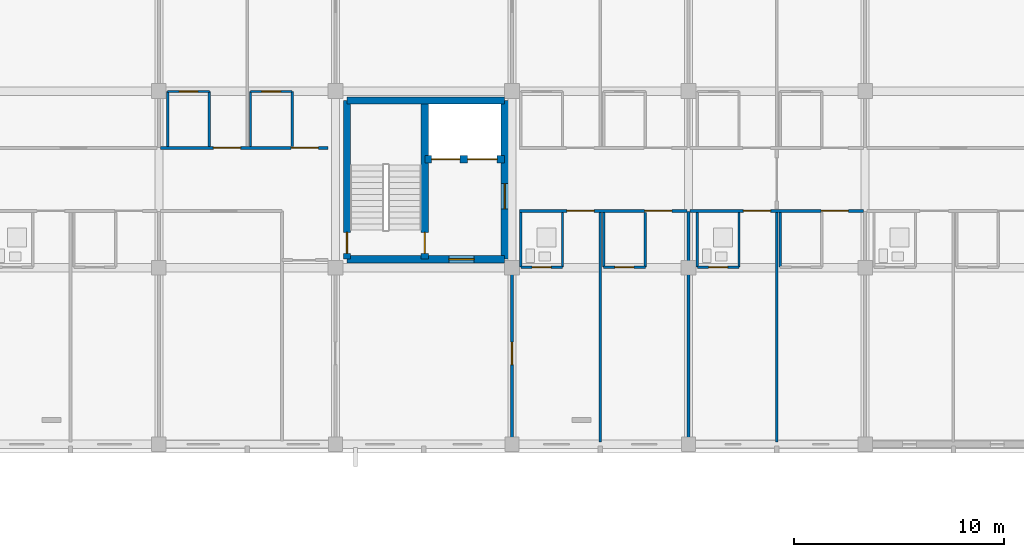
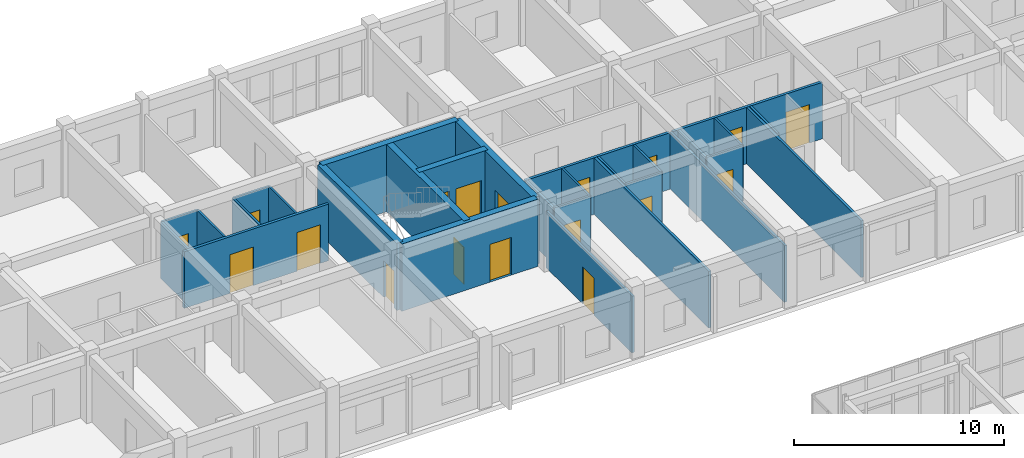
# One storey, part 117 of 140: 29 walls, 18 doors, 18 openings.
"""IFC4 building model written with IfcOpenShell, lengths in metres."""

from ifc_helpers import new_model, si_unit, direction, frame, frame_2d, origin, place, context, subcontext, project, spatial, rectangle, extrude, material, layer, layer_set, type_object, element, fill, save


model = new_model("IFC4")

# Units and contexts
model_context = context("Model", 3, precision=1e-05, world=origin(), true_north=direction((0.0, 1.0)))
body_context = subcontext(model_context, "Body", "Model", "MODEL_VIEW")
ifc_project = project(units=[si_unit("LENGTHUNIT", "METRE"), si_unit("AREAUNIT", "SQUARE_METRE"), si_unit("VOLUMEUNIT", "CUBIC_METRE"), si_unit("PLANEANGLEUNIT", "RADIAN"), si_unit("MASSUNIT", "GRAM", prefix="KILO")], contexts=[model_context])

# Site, building, storey
site_placement = place(None, origin())
site = spatial("IfcSite", under=ifc_project, at=site_placement, CompositionType="ELEMENT")
building_placement = place(site_placement, origin())
building = spatial("IfcBuilding", under=site, at=building_placement, Name="Trelvath General Hospital", CompositionType="ELEMENT")
storey_placement = place(building_placement, frame((0.0, 0.0, 16.199951171875)))
storey = spatial("IfcBuildingStorey", under=building, at=storey_placement, Name="L04", CompositionType="ELEMENT", Elevation=16.199951171875)

# Wall, openings, doors
ifc_material_1 = material(Name="Gypsum acoustic steel-stud partition", Category="steel")
ifc_layer_1 = layer(ifc_material_1, 0.14990234375)
ifc_layer_set_1 = layer_set([ifc_layer_1], Name="Gypsum acoustic steel-stud partition")
wall_type_1 = type_object("IfcWallType", Name="ClinicalPartition 150", PredefinedType="PARTITIONING", material=ifc_layer_set_1)
wall_1_placement = place(storey_placement, frame((41.639892578125, 106.5, 0.0), z_axis=(0.0, 0.0, 1.0), x_axis=(-1.0, 0.0, 0.0)))
wall_1 = element("IfcWall", 1, at=wall_1_placement, inside=storey, type_object=wall_type_1, Name="Corridor Partition N L04-1562", PredefinedType="PARTITIONING", context=body_context, shape_type="SweptSolid", body=[
    extrude(rectangle(XDim=7.9599609375, YDim=0.14990234375, at=frame_2d((3.97998046875, 0.0))), origin(), (0.0, 0.0, 1.0), 3.300048828125),
])
opening_1_placement = place(wall_1_placement, frame((0.449951171875, 0.0, 0.0)))
opening_1 = element("IfcOpeningElement", 2, at=opening_1_placement, cuts=wall_1, Name="Opening D-4-1071", PredefinedType="OPENING", context=body_context, shape_type="SweptSolid", body=[
    extrude(rectangle(XDim=1.300048828125, YDim=2.25, at=frame_2d((0.64990234375, 1.125))), frame((0.0, 0.0849609375, 0.0), z_axis=(0.0, -1.0, 0.0), x_axis=(1.0, 0.0, 0.0)), (0.0, 0.0, 1.0), 0.169921875),
])
opening_2_placement = place(wall_1_placement, frame((4.14990234375, 0.0, 0.0)))
opening_2 = element("IfcOpeningElement", 3, at=opening_2_placement, cuts=wall_1, Name="Opening D-4-1072", PredefinedType="OPENING", context=body_context, shape_type="SweptSolid", body=[
    extrude(rectangle(XDim=1.300048828125, YDim=2.25, at=frame_2d((0.64990234375, 1.125))), frame((0.0, 0.0849609375, 0.0), z_axis=(0.0, -1.0, 0.0), x_axis=(1.0, 0.0, 0.0)), (0.0, 0.0, 1.0), 0.169921875),
])
ifc_material_2 = material(Name="Hospital bed-leaf timber door", Category="wood")
door_type_1 = type_object("IfcDoorType", Name="Door PatientBed 1300x2250", OperationType="NOTDEFINED", PredefinedType="DOOR", material=ifc_material_2)
door_1_placement = place(opening_1_placement, origin())
door_1 = element("IfcDoor", 4, at=door_1_placement, inside=storey, type_object=door_type_1, Name="Patient Room Door N L04-1071", OperationType="SINGLE_SWING_LEFT", OverallHeight=2.25, OverallWidth=1.300048828125, PredefinedType="DOOR", context=body_context, shape_type="SweptSolid", body=[
    extrude(rectangle(XDim=1.300048828125, YDim=2.25, at=frame_2d((0.64990234375, 1.125))), frame((0.0, 0.02490234375, 0.0), z_axis=(0.0, -1.0, 0.0), x_axis=(1.0, 0.0, 0.0)), (0.0, 0.0, 1.0), 0.050048828125),
])
fill(opening_1, door_1)
door_2_placement = place(opening_2_placement, origin())
door_2 = element("IfcDoor", 5, at=door_2_placement, inside=storey, type_object=door_type_1, Name="Patient Room Door N L04-1072", OperationType="SINGLE_SWING_LEFT", OverallHeight=2.25, OverallWidth=1.300048828125, PredefinedType="DOOR", context=body_context, shape_type="SweptSolid", body=[
    extrude(rectangle(XDim=1.300048828125, YDim=2.25, at=frame_2d((0.64990234375, 1.125))), frame((0.0, 0.02490234375, 0.0), z_axis=(0.0, -1.0, 0.0), x_axis=(1.0, 0.0, 0.0)), (0.0, 0.0, 1.0), 0.050048828125),
])
fill(opening_2, door_2)

wall_2_placement = place(storey_placement, frame((50.760009765625, 103.5, 0.0), z_axis=(0.0, 0.0, 1.0), x_axis=(1.0, 0.0, 0.0)))
wall_2 = element("IfcWall", 6, at=wall_2_placement, inside=storey, type_object=wall_type_1, Name="Corridor Partition L04-1574", PredefinedType="PARTITIONING", context=body_context, shape_type="SweptSolid", body=[
    extrude(rectangle(XDim=7.9599609375, YDim=0.14990234375, at=frame_2d((3.97998046875, 0.0))), origin(), (0.0, 0.0, 1.0), 3.300048828125),
])
opening_3_placement = place(wall_2_placement, frame((2.25, 0.0, 0.0)))
opening_3 = element("IfcOpeningElement", 7, at=opening_3_placement, cuts=wall_2, Name="Opening D-4-1079", PredefinedType="OPENING", context=body_context, shape_type="SweptSolid", body=[
    extrude(rectangle(XDim=1.300048828125, YDim=2.25, at=frame_2d((0.64990234375, 1.125))), frame((0.0, 0.0849609375, 0.0), z_axis=(0.0, -1.0, 0.0), x_axis=(1.0, 0.0, 0.0)), (0.0, 0.0, 1.0), 0.169921875),
])
opening_4_placement = place(wall_2_placement, frame((5.949951171875, 0.0, 0.0)))
opening_4 = element("IfcOpeningElement", 8, at=opening_4_placement, cuts=wall_2, Name="Opening D-4-1080", PredefinedType="OPENING", context=body_context, shape_type="SweptSolid", body=[
    extrude(rectangle(XDim=1.300048828125, YDim=2.25, at=frame_2d((0.64990234375, 1.125))), frame((0.0, 0.0849609375, 0.0), z_axis=(0.0, -1.0, 0.0), x_axis=(1.0, 0.0, 0.0)), (0.0, 0.0, 1.0), 0.169921875),
])
door_3_placement = place(opening_3_placement, origin())
door_3 = element("IfcDoor", 9, at=door_3_placement, inside=storey, type_object=door_type_1, Name="Patient Room Door L04-1079", OperationType="SINGLE_SWING_RIGHT", OverallHeight=2.25, OverallWidth=1.300048828125, PredefinedType="DOOR", context=body_context, shape_type="SweptSolid", body=[
    extrude(rectangle(XDim=1.300048828125, YDim=2.25, at=frame_2d((0.64990234375, 1.125))), frame((0.0, 0.02490234375, 0.0), z_axis=(0.0, -1.0, 0.0), x_axis=(1.0, 0.0, 0.0)), (0.0, 0.0, 1.0), 0.050048828125),
])
fill(opening_3, door_3)
door_4_placement = place(opening_4_placement, origin())
door_4 = element("IfcDoor", 10, at=door_4_placement, inside=storey, type_object=door_type_1, Name="Patient Room Door L04-1080", OperationType="SINGLE_SWING_LEFT", OverallHeight=2.25, OverallWidth=1.300048828125, PredefinedType="DOOR", context=body_context, shape_type="SweptSolid", body=[
    extrude(rectangle(XDim=1.300048828125, YDim=2.25, at=frame_2d((0.64990234375, 1.125))), frame((0.0, 0.02490234375, 0.0), z_axis=(0.0, -1.0, 0.0), x_axis=(1.0, 0.0, 0.0)), (0.0, 0.0, 1.0), 0.050048828125),
])
fill(opening_4, door_4)

wall_3_placement = place(storey_placement, frame((58.8798828125, 103.5, 0.0), z_axis=(0.0, 0.0, 1.0), x_axis=(1.0, 0.0, 0.0)))
wall_3 = element("IfcWall", 11, at=wall_3_placement, inside=storey, type_object=wall_type_1, Name="Corridor Partition L04-1593", PredefinedType="PARTITIONING", context=body_context, shape_type="SweptSolid", body=[
    extrude(rectangle(XDim=8.240234375, YDim=0.14990234375, at=frame_2d((4.1201171875, 0.0))), origin(), (0.0, 0.0, 1.0), 3.300048828125),
])
opening_5_placement = place(wall_3_placement, frame((2.530029296875, 0.0, 0.0)))
opening_5 = element("IfcOpeningElement", 12, at=opening_5_placement, cuts=wall_3, Name="Opening D-4-1087", PredefinedType="OPENING", context=body_context, shape_type="SweptSolid", body=[
    extrude(rectangle(XDim=1.300048828125, YDim=2.25, at=frame_2d((0.64990234375, 1.125))), frame((0.0, 0.0849609375, 0.0), z_axis=(0.0, -1.0, 0.0), x_axis=(1.0, 0.0, 0.0)), (0.0, 0.0, 1.0), 0.169921875),
])
opening_6_placement = place(wall_3_placement, frame((6.22998046875, 0.0, 0.0)))
opening_6 = element("IfcOpeningElement", 13, at=opening_6_placement, cuts=wall_3, Name="Opening D-4-1088", PredefinedType="OPENING", context=body_context, shape_type="SweptSolid", body=[
    extrude(rectangle(XDim=1.300048828125, YDim=2.25, at=frame_2d((0.64990234375, 1.125))), frame((0.0, 0.0849609375, 0.0), z_axis=(0.0, -1.0, 0.0), x_axis=(1.0, 0.0, 0.0)), (0.0, 0.0, 1.0), 0.169921875),
])
door_5_placement = place(opening_5_placement, origin())
door_5 = element("IfcDoor", 14, at=door_5_placement, inside=storey, type_object=door_type_1, Name="Patient Room Door L04-1087", OperationType="SINGLE_SWING_LEFT", OverallHeight=2.25, OverallWidth=1.300048828125, PredefinedType="DOOR", context=body_context, shape_type="SweptSolid", body=[
    extrude(rectangle(XDim=1.300048828125, YDim=2.25, at=frame_2d((0.64990234375, 1.125))), frame((0.0, 0.02490234375, 0.0), z_axis=(0.0, -1.0, 0.0), x_axis=(1.0, 0.0, 0.0)), (0.0, 0.0, 1.0), 0.050048828125),
])
fill(opening_5, door_5)
door_6_placement = place(opening_6_placement, origin())
door_6 = element("IfcDoor", 15, at=door_6_placement, inside=storey, type_object=door_type_1, Name="Patient Room Door L04-1088", OperationType="SINGLE_SWING_RIGHT", OverallHeight=2.25, OverallWidth=1.300048828125, PredefinedType="DOOR", context=body_context, shape_type="SweptSolid", body=[
    extrude(rectangle(XDim=1.300048828125, YDim=2.25, at=frame_2d((0.64990234375, 1.125))), frame((0.0, 0.02490234375, 0.0), z_axis=(0.0, -1.0, 0.0), x_axis=(1.0, 0.0, 0.0)), (0.0, 0.0, 1.0), 0.050048828125),
])
fill(opening_6, door_6)

# Wall, opening, door
ifc_material_3 = material(Name="Concrete C40/50", Category="concrete")
ifc_layer_2 = layer(ifc_material_3, 0.35009765625)
ifc_layer_set_2 = layer_set([ifc_layer_2], Name="Concrete C40/50")
wall_type_2 = type_object("IfcWallType", Name="CoreShearWall 350", PredefinedType="SHEAR", material=ifc_layer_set_2)
wall_4_placement = place(storey_placement, frame((42.550048828125, 101.199951171875, 0.0), z_axis=(0.0, 0.0, 1.0), x_axis=(1.0, 0.0, 0.0)))
wall_4 = element("IfcWall", 16, at=wall_4_placement, inside=storey, type_object=wall_type_2, Name="Core Shear Wall C1 S L04", PredefinedType="SHEAR", context=body_context, shape_type="SweptSolid", body=[
    extrude(rectangle(XDim=7.5, YDim=0.35009765625, at=frame_2d((3.75, 0.0))), origin(), (0.0, 0.0, 1.0), 3.920166015625),
])
opening_7_placement = place(wall_4_placement, frame((4.85009765625, 0.0, 0.0)))
opening_7 = element("IfcOpeningElement", 17, at=opening_7_placement, cuts=wall_4, Name="Opening FD-LS14", PredefinedType="OPENING", context=body_context, shape_type="SweptSolid", body=[
    extrude(rectangle(XDim=1.199951171875, YDim=2.199951171875, at=frame_2d((0.60009765625, 1.10009765625))), frame((0.0, 0.18505859375, 0.0), z_axis=(0.0, -1.0, 0.0), x_axis=(1.0, 0.0, 0.0)), (0.0, 0.0, 1.0), 0.3701171875),
])
ifc_material_4 = material(Name="Fire-rated steel door", Category="steel")
door_type_2 = type_object("IfcDoorType", Name="Door FireLobby 1200x2200", OperationType="NOTDEFINED", PredefinedType="DOOR", material=ifc_material_4)
door_7_placement = place(opening_7_placement, origin())
door_7 = element("IfcDoor", 18, at=door_7_placement, inside=storey, type_object=door_type_2, Name="Fire Lobby South Door C1 L04", OperationType="SINGLE_SWING_RIGHT", OverallHeight=2.199951171875, OverallWidth=1.199951171875, PredefinedType="DOOR", context=body_context, shape_type="SweptSolid", body=[
    extrude(rectangle(XDim=1.199951171875, YDim=2.199951171875, at=frame_2d((0.60009765625, 1.10009765625))), frame((0.0, 0.02490234375, 0.0), z_axis=(0.0, -1.0, 0.0), x_axis=(1.0, 0.0, 0.0)), (0.0, 0.0, 1.0), 0.050048828125),
])
fill(opening_7, door_7)

# Wall
wall_5_placement = place(storey_placement, frame((42.550048828125, 108.75, 0.0), z_axis=(0.0, 0.0, 1.0), x_axis=(1.0, 0.0, 0.0)))
element("IfcWall", 19, at=wall_5_placement, inside=storey, type_object=wall_type_2, Name="Core Shear Wall C1 N L04", PredefinedType="SHEAR", context=body_context, shape_type="SweptSolid", body=[
    extrude(rectangle(XDim=7.5, YDim=0.35009765625, at=frame_2d((3.75, 0.0))), origin(), (0.0, 0.0, 1.0), 3.920166015625),
])

# Wall, opening, door
wall_6_placement = place(storey_placement, frame((42.550048828125, 101.199951171875, 0.0), z_axis=(0.0, 0.0, 1.0), x_axis=(0.0, 1.0, 0.0)))
wall_6 = element("IfcWall", 20, at=wall_6_placement, inside=storey, type_object=wall_type_2, Name="Core Shear Wall C1 W L04", PredefinedType="SHEAR", context=body_context, shape_type="SweptSolid", body=[
    extrude(rectangle(XDim=7.550048828125, YDim=0.35009765625, at=frame_2d((3.77490234375, 0.0))), origin(), (0.0, 0.0, 1.0), 3.920166015625),
])
opening_8_placement = place(wall_6_placement, frame((0.280029296875, 0.0, 0.0)))
opening_8 = element("IfcOpeningElement", 21, at=opening_8_placement, cuts=wall_6, Name="Opening FD-SW14", PredefinedType="OPENING", context=body_context, shape_type="SweptSolid", body=[
    extrude(rectangle(XDim=1.0, YDim=2.14990234375, at=frame_2d((0.5, 1.074951171875))), frame((0.0, 0.18505859375, 0.0), z_axis=(0.0, -1.0, 0.0), x_axis=(1.0, 0.0, 0.0)), (0.0, 0.0, 1.0), 0.3701171875),
])
ifc_material_5 = material(Name="Fire-rated steel door", Category="steel")
door_type_3 = type_object("IfcDoorType", Name="Door FireStair 1100x2150", OperationType="NOTDEFINED", PredefinedType="DOOR", material=ifc_material_5)
door_8_placement = place(opening_8_placement, origin())
door_8 = element("IfcDoor", 22, at=door_8_placement, inside=storey, type_object=door_type_3, Name="West Corridor Stair Door ST1 L04", OperationType="SINGLE_SWING_LEFT", OverallHeight=2.14990234375, OverallWidth=1.0, PredefinedType="DOOR", context=body_context, shape_type="SweptSolid", body=[
    extrude(rectangle(XDim=1.0, YDim=2.14990234375, at=frame_2d((0.5, 1.074951171875))), frame((0.0, 0.02490234375, 0.0), z_axis=(0.0, -1.0, 0.0), x_axis=(1.0, 0.0, 0.0)), (0.0, 0.0, 1.0), 0.050048828125),
])
fill(opening_8, door_8)

wall_7_placement = place(storey_placement, frame((50.050048828125, 101.199951171875, 0.0), z_axis=(0.0, 0.0, 1.0), x_axis=(0.0, 1.0, 0.0)))
wall_7 = element("IfcWall", 23, at=wall_7_placement, inside=storey, type_object=wall_type_2, Name="Core Shear Wall C1 E L04", PredefinedType="SHEAR", context=body_context, shape_type="SweptSolid", body=[
    extrude(rectangle(XDim=7.550048828125, YDim=0.35009765625, at=frame_2d((3.77490234375, 0.0))), origin(), (0.0, 0.0, 1.0), 3.920166015625),
])
opening_9_placement = place(wall_7_placement, frame((2.39990234375, 0.0, 0.0)))
opening_9 = element("IfcOpeningElement", 24, at=opening_9_placement, cuts=wall_7, Name="Opening FD-LE14", PredefinedType="OPENING", context=body_context, shape_type="SweptSolid", body=[
    extrude(rectangle(XDim=1.199951171875, YDim=2.199951171875, at=frame_2d((0.60009765625, 1.10009765625))), frame((0.0, 0.18505859375, 0.0), z_axis=(0.0, -1.0, 0.0), x_axis=(1.0, 0.0, 0.0)), (0.0, 0.0, 1.0), 0.3701171875),
])
door_9_placement = place(opening_9_placement, origin())
door_9 = element("IfcDoor", 25, at=door_9_placement, inside=storey, type_object=door_type_2, Name="Fire Lobby East Corridor Door C1 L04", OperationType="SINGLE_SWING_LEFT", OverallHeight=2.199951171875, OverallWidth=1.199951171875, PredefinedType="DOOR", context=body_context, shape_type="SweptSolid", body=[
    extrude(rectangle(XDim=1.199951171875, YDim=2.199951171875, at=frame_2d((0.60009765625, 1.10009765625))), frame((0.0, 0.02490234375, 0.0), z_axis=(0.0, -1.0, 0.0), x_axis=(1.0, 0.0, 0.0)), (0.0, 0.0, 1.0), 0.050048828125),
])
fill(opening_9, door_9)

wall_8_placement = place(storey_placement, frame((46.25, 101.199951171875, 0.0), z_axis=(0.0, 0.0, 1.0), x_axis=(0.0, 1.0, 0.0)))
wall_8 = element("IfcWall", 26, at=wall_8_placement, inside=storey, type_object=wall_type_2, Name="Core Shear Wall C1 SPINE L04", PredefinedType="SHEAR", context=body_context, shape_type="SweptSolid", body=[
    extrude(rectangle(XDim=7.550048828125, YDim=0.35009765625, at=frame_2d((3.77490234375, 0.0))), origin(), (0.0, 0.0, 1.0), 3.920166015625),
])
opening_10_placement = place(wall_8_placement, frame((0.280029296875, 0.0, 0.0)))
opening_10 = element("IfcOpeningElement", 27, at=opening_10_placement, cuts=wall_8, Name="Opening FD-S14", PredefinedType="OPENING", context=body_context, shape_type="SweptSolid", body=[
    extrude(rectangle(XDim=1.0, YDim=2.14990234375, at=frame_2d((0.5, 1.074951171875))), frame((0.0, 0.18505859375, 0.0), z_axis=(0.0, -1.0, 0.0), x_axis=(1.0, 0.0, 0.0)), (0.0, 0.0, 1.0), 0.3701171875),
])
door_10_placement = place(opening_10_placement, origin())
door_10 = element("IfcDoor", 28, at=door_10_placement, inside=storey, type_object=door_type_3, Name="Exit Stair Door ST1 L04", OperationType="SINGLE_SWING_RIGHT", OverallHeight=2.14990234375, OverallWidth=1.0, PredefinedType="DOOR", context=body_context, shape_type="SweptSolid", body=[
    extrude(rectangle(XDim=1.0, YDim=2.14990234375, at=frame_2d((0.5, 1.074951171875))), frame((0.0, 0.02490234375, 0.0), z_axis=(0.0, -1.0, 0.0), x_axis=(1.0, 0.0, 0.0)), (0.0, 0.0, 1.0), 0.050048828125),
])
fill(opening_10, door_10)

# Wall, openings, doors
wall_9_placement = place(storey_placement, frame((46.25, 105.949951171875, 0.0), z_axis=(0.0, 0.0, 1.0), x_axis=(1.0, 0.0, 0.0)))
wall_9 = element("IfcWall", 29, at=wall_9_placement, inside=storey, type_object=wall_type_2, Name="Core Shear Wall C1 SHAFT L04", PredefinedType="SHEAR", context=body_context, shape_type="SweptSolid", body=[
    extrude(rectangle(XDim=3.800048828125, YDim=0.35009765625, at=frame_2d((1.89990234375, 0.0))), origin(), (0.0, 0.0, 1.0), 3.920166015625),
])
opening_11_placement = place(wall_9_placement, frame((0.320068359375, 0.0, 0.0)))
opening_11 = element("IfcOpeningElement", 30, at=opening_11_placement, cuts=wall_9, Name="Opening LD-FF1-4", PredefinedType="OPENING", context=body_context, shape_type="SweptSolid", body=[
    extrude(rectangle(XDim=1.35009765625, YDim=2.25, at=frame_2d((0.675048828125, 1.125))), frame((0.0, 0.18505859375, 0.0), z_axis=(0.0, -1.0, 0.0), x_axis=(1.0, 0.0, 0.0)), (0.0, 0.0, 1.0), 0.3701171875),
])
opening_12_placement = place(wall_9_placement, frame((2.0400390625, 0.0, 0.0)))
opening_12 = element("IfcOpeningElement", 31, at=opening_12_placement, cuts=wall_9, Name="Opening LD-BD1-4", PredefinedType="OPENING", context=body_context, shape_type="SweptSolid", body=[
    extrude(rectangle(XDim=1.39990234375, YDim=2.25, at=frame_2d((0.699951171875, 1.125))), frame((0.0, 0.18505859375, 0.0), z_axis=(0.0, -1.0, 0.0), x_axis=(1.0, 0.0, 0.0)), (0.0, 0.0, 1.0), 0.3701171875),
])
ifc_material_6 = material(Name="Stainless steel stretcher lift landing door", Category="steel")
door_type_4 = type_object("IfcDoorType", Name="Door LiftBed 1400x2250", OperationType="SLIDING_TO_LEFT", PredefinedType="DOOR", material=ifc_material_6)
door_11_placement = place(opening_12_placement, origin())
door_11 = element("IfcDoor", 32, at=door_11_placement, inside=storey, type_object=door_type_4, Name="Lift Landing Sliding Door LF-BD1 L04", OperationType="SLIDING_TO_LEFT", OverallHeight=2.25, OverallWidth=1.39990234375, PredefinedType="DOOR", context=body_context, shape_type="SweptSolid", body=[
    extrude(rectangle(XDim=1.39990234375, YDim=2.25, at=frame_2d((0.699951171875, 1.125))), frame((0.0, 0.02490234375, 0.0), z_axis=(0.0, -1.0, 0.0), x_axis=(1.0, 0.0, 0.0)), (0.0, 0.0, 1.0), 0.050048828125),
])
fill(opening_12, door_11)
ifc_material_7 = material(Name="Fire-rated stainless lift landing door")
door_type_5 = type_object("IfcDoorType", Name="Door LiftFire 1350x2250", OperationType="SLIDING_TO_LEFT", PredefinedType="DOOR", material=ifc_material_7)
door_12_placement = place(opening_11_placement, origin())
door_12 = element("IfcDoor", 33, at=door_12_placement, inside=storey, type_object=door_type_5, Name="Lift Landing Sliding Door LF-FF1 L04", OperationType="SLIDING_TO_LEFT", OverallHeight=2.25, OverallWidth=1.35009765625, PredefinedType="DOOR", context=body_context, shape_type="SweptSolid", body=[
    extrude(rectangle(XDim=1.35009765625, YDim=2.25, at=frame_2d((0.675048828125, 1.125))), frame((0.0, 0.02490234375, 0.0), z_axis=(0.0, -1.0, 0.0), x_axis=(1.0, 0.0, 0.0)), (0.0, 0.0, 1.0), 0.050048828125),
])
fill(opening_11, door_12)

# Walls
ifc_material_8 = material(Name="Moisture-resistant tile partition")
ifc_layer_3 = layer(ifc_material_8, 0.110107421875)
ifc_layer_set_3 = layer_set([ifc_layer_3], Name="Moisture-resistant tile partition")
wall_type_3 = type_object("IfcWallType", Name="EnSuiteWetWall 110", PredefinedType="PARTITIONING", material=ifc_layer_set_3)
for number, where, z_axis, x_axis, name in (
    (34, (34.02001953125, 106.570068359375, 0.0), (0.0, 0.0, 1.0), (0.0, 1.0, 0.0), "En-Suite W Wall N L04-1564"),
    (35, (36.0, 106.570068359375, 0.0), (0.0, 0.0, 1.0), (0.0, 1.0, 0.0), "En-Suite E Wall N L04-1565"),
):
    element("IfcWall", number, at=place(storey_placement, frame(where, z_axis=z_axis, x_axis=x_axis)), inside=storey, type_object=wall_type_3, Name=name, PredefinedType="PARTITIONING", context=body_context, shape_type="SweptSolid", body=[
        extrude(rectangle(XDim=2.60986328125, YDim=0.110107421875, at=frame_2d((1.304931640625, 0.0))), origin(), (0.0, 0.0, 1.0), 3.300048828125),
    ])

# Wall, opening, door
wall_10_placement = place(storey_placement, frame((34.02001953125, 109.179931640625, 0.0), z_axis=(0.0, 0.0, 1.0), x_axis=(1.0, 0.0, 0.0)))
wall_10 = element("IfcWall", 36, at=wall_10_placement, inside=storey, type_object=wall_type_3, Name="En-Suite Bathroom N Partition L04-1566", PredefinedType="PARTITIONING", context=body_context, shape_type="SweptSolid", body=[
    extrude(rectangle(XDim=1.97998046875, YDim=0.110107421875, at=frame_2d((0.989990234375, 0.0))), origin(), (0.0, 0.0, 1.0), 3.300048828125),
])
opening_13_placement = place(wall_10_placement, frame((0.5400390625, 0.0, 0.0)))
opening_13 = element("IfcOpeningElement", 37, at=opening_13_placement, cuts=wall_10, Name="Opening D-4-1073", PredefinedType="OPENING", context=body_context, shape_type="SweptSolid", body=[
    extrude(rectangle(XDim=0.89990234375, YDim=2.10009765625, at=frame_2d((0.449951171875, 1.050048828125))), frame((0.0, 0.06494140625, 0.0), z_axis=(0.0, -1.0, 0.0), x_axis=(1.0, 0.0, 0.0)), (0.0, 0.0, 1.0), 0.130126953125),
])
ifc_material_9 = material(Name="Moisture-sealed timber leaf", Category="wood")
door_type_6 = type_object("IfcDoorType", Name="Door EnSuite 900x2100", OperationType="NOTDEFINED", PredefinedType="DOOR", material=ifc_material_9)
door_13_placement = place(opening_13_placement, origin())
door_13 = element("IfcDoor", 38, at=door_13_placement, inside=storey, type_object=door_type_6, Name="En-Suite Bathroom N Door L04-1073", OperationType="SINGLE_SWING_RIGHT", OverallHeight=2.10009765625, OverallWidth=0.89990234375, PredefinedType="DOOR", context=body_context, shape_type="SweptSolid", body=[
    extrude(rectangle(XDim=0.89990234375, YDim=2.10009765625, at=frame_2d((0.449951171875, 1.050048828125))), frame((0.0, 0.02490234375, 0.0), z_axis=(0.0, -1.0, 0.0), x_axis=(1.0, 0.0, 0.0)), (0.0, 0.0, 1.0), 0.050048828125),
])
fill(opening_13, door_13)

# Walls
for number, where, z_axis, x_axis, name in (
    (39, (37.9599609375, 106.570068359375, 0.0), (0.0, 0.0, 1.0), (0.0, 1.0, 0.0), "En-Suite W Wall N L04-1567"),
    (40, (39.93994140625, 106.570068359375, 0.0), (0.0, 0.0, 1.0), (0.0, 1.0, 0.0), "En-Suite E Wall N L04-1568"),
):
    element("IfcWall", number, at=place(storey_placement, frame(where, z_axis=z_axis, x_axis=x_axis)), inside=storey, type_object=wall_type_3, Name=name, PredefinedType="PARTITIONING", context=body_context, shape_type="SweptSolid", body=[
        extrude(rectangle(XDim=2.60986328125, YDim=0.110107421875, at=frame_2d((1.304931640625, 0.0))), origin(), (0.0, 0.0, 1.0), 3.300048828125),
    ])

# Wall, opening, door
wall_11_placement = place(storey_placement, frame((37.9599609375, 109.179931640625, 0.0), z_axis=(0.0, 0.0, 1.0), x_axis=(1.0, 0.0, 0.0)))
wall_11 = element("IfcWall", 41, at=wall_11_placement, inside=storey, type_object=wall_type_3, Name="En-Suite Bathroom N Partition L04-1569", PredefinedType="PARTITIONING", context=body_context, shape_type="SweptSolid", body=[
    extrude(rectangle(XDim=1.97998046875, YDim=0.110107421875, at=frame_2d((0.989990234375, 0.0))), origin(), (0.0, 0.0, 1.0), 3.300048828125),
])
opening_14_placement = place(wall_11_placement, frame((0.5400390625, 0.0, 0.0)))
opening_14 = element("IfcOpeningElement", 42, at=opening_14_placement, cuts=wall_11, Name="Opening D-4-1074", PredefinedType="OPENING", context=body_context, shape_type="SweptSolid", body=[
    extrude(rectangle(XDim=0.89990234375, YDim=2.10009765625, at=frame_2d((0.449951171875, 1.050048828125))), frame((0.0, 0.06494140625, 0.0), z_axis=(0.0, -1.0, 0.0), x_axis=(1.0, 0.0, 0.0)), (0.0, 0.0, 1.0), 0.130126953125),
])
door_14_placement = place(opening_14_placement, origin())
door_14 = element("IfcDoor", 43, at=door_14_placement, inside=storey, type_object=door_type_6, Name="En-Suite Bathroom N Door L04-1074", OperationType="SINGLE_SWING_LEFT", OverallHeight=2.10009765625, OverallWidth=0.89990234375, PredefinedType="DOOR", context=body_context, shape_type="SweptSolid", body=[
    extrude(rectangle(XDim=0.89990234375, YDim=2.10009765625, at=frame_2d((0.449951171875, 1.050048828125))), frame((0.0, 0.02490234375, 0.0), z_axis=(0.0, -1.0, 0.0), x_axis=(1.0, 0.0, 0.0)), (0.0, 0.0, 1.0), 0.050048828125),
])
fill(opening_14, door_14)

# Walls
for number, where, z_axis, x_axis, name in (
    (44, (50.820068359375, 100.820068359375, 0.0), (0.0, 0.0, 1.0), (0.0, 1.0, 0.0), "En-Suite W Wall L04-1576"),
    (45, (52.800048828125, 100.820068359375, 0.0), (0.0, 0.0, 1.0), (0.0, 1.0, 0.0), "En-Suite E Wall L04-1577"),
):
    element("IfcWall", number, at=place(storey_placement, frame(where, z_axis=z_axis, x_axis=x_axis)), inside=storey, type_object=wall_type_3, Name=name, PredefinedType="PARTITIONING", context=body_context, shape_type="SweptSolid", body=[
        extrude(rectangle(XDim=2.60986328125, YDim=0.110107421875, at=frame_2d((1.304931640625, 0.0))), origin(), (0.0, 0.0, 1.0), 3.300048828125),
    ])

# Wall, opening, door
wall_12_placement = place(storey_placement, frame((50.820068359375, 100.820068359375, 0.0), z_axis=(0.0, 0.0, 1.0), x_axis=(1.0, 0.0, 0.0)))
wall_12 = element("IfcWall", 46, at=wall_12_placement, inside=storey, type_object=wall_type_3, Name="En-Suite Bathroom Partition L04-1578", PredefinedType="PARTITIONING", context=body_context, shape_type="SweptSolid", body=[
    extrude(rectangle(XDim=1.97998046875, YDim=0.110107421875, at=frame_2d((0.989990234375, 0.0))), origin(), (0.0, 0.0, 1.0), 3.300048828125),
])
opening_15_placement = place(wall_12_placement, frame((0.5400390625, 0.0, 0.0)))
opening_15 = element("IfcOpeningElement", 47, at=opening_15_placement, cuts=wall_12, Name="Opening D-4-1081", PredefinedType="OPENING", context=body_context, shape_type="SweptSolid", body=[
    extrude(rectangle(XDim=0.89990234375, YDim=2.10009765625, at=frame_2d((0.449951171875, 1.050048828125))), frame((0.0, 0.06494140625, 0.0), z_axis=(0.0, -1.0, 0.0), x_axis=(1.0, 0.0, 0.0)), (0.0, 0.0, 1.0), 0.130126953125),
])
door_15_placement = place(opening_15_placement, origin())
door_15 = element("IfcDoor", 48, at=door_15_placement, inside=storey, type_object=door_type_6, Name="En-Suite Bathroom Door L04-1081", OperationType="SINGLE_SWING_RIGHT", OverallHeight=2.10009765625, OverallWidth=0.89990234375, PredefinedType="DOOR", context=body_context, shape_type="SweptSolid", body=[
    extrude(rectangle(XDim=0.89990234375, YDim=2.10009765625, at=frame_2d((0.449951171875, 1.050048828125))), frame((0.0, 0.02490234375, 0.0), z_axis=(0.0, -1.0, 0.0), x_axis=(1.0, 0.0, 0.0)), (0.0, 0.0, 1.0), 0.050048828125),
])
fill(opening_15, door_15)

# Walls
for number, where, z_axis, x_axis, name in (
    (49, (54.760009765625, 100.820068359375, 0.0), (0.0, 0.0, 1.0), (0.0, 1.0, 0.0), "En-Suite W Wall L04-1579"),
    (50, (56.739990234375, 100.820068359375, 0.0), (0.0, 0.0, 1.0), (0.0, 1.0, 0.0), "En-Suite E Wall L04-1580"),
):
    element("IfcWall", number, at=place(storey_placement, frame(where, z_axis=z_axis, x_axis=x_axis)), inside=storey, type_object=wall_type_3, Name=name, PredefinedType="PARTITIONING", context=body_context, shape_type="SweptSolid", body=[
        extrude(rectangle(XDim=2.60986328125, YDim=0.110107421875, at=frame_2d((1.304931640625, 0.0))), origin(), (0.0, 0.0, 1.0), 3.300048828125),
    ])

# Wall, opening, door
wall_13_placement = place(storey_placement, frame((54.760009765625, 100.820068359375, 0.0), z_axis=(0.0, 0.0, 1.0), x_axis=(1.0, 0.0, 0.0)))
wall_13 = element("IfcWall", 51, at=wall_13_placement, inside=storey, type_object=wall_type_3, Name="En-Suite Bathroom Partition L04-1581", PredefinedType="PARTITIONING", context=body_context, shape_type="SweptSolid", body=[
    extrude(rectangle(XDim=1.97998046875, YDim=0.110107421875, at=frame_2d((0.989990234375, 0.0))), origin(), (0.0, 0.0, 1.0), 3.300048828125),
])
opening_16_placement = place(wall_13_placement, frame((0.5400390625, 0.0, 0.0)))
opening_16 = element("IfcOpeningElement", 52, at=opening_16_placement, cuts=wall_13, Name="Opening D-4-1082", PredefinedType="OPENING", context=body_context, shape_type="SweptSolid", body=[
    extrude(rectangle(XDim=0.89990234375, YDim=2.10009765625, at=frame_2d((0.449951171875, 1.050048828125))), frame((0.0, 0.06494140625, 0.0), z_axis=(0.0, -1.0, 0.0), x_axis=(1.0, 0.0, 0.0)), (0.0, 0.0, 1.0), 0.130126953125),
])
door_16_placement = place(opening_16_placement, origin())
door_16 = element("IfcDoor", 53, at=door_16_placement, inside=storey, type_object=door_type_6, Name="En-Suite Bathroom Door L04-1082", OperationType="SINGLE_SWING_LEFT", OverallHeight=2.10009765625, OverallWidth=0.89990234375, PredefinedType="DOOR", context=body_context, shape_type="SweptSolid", body=[
    extrude(rectangle(XDim=0.89990234375, YDim=2.10009765625, at=frame_2d((0.449951171875, 1.050048828125))), frame((0.0, 0.02490234375, 0.0), z_axis=(0.0, -1.0, 0.0), x_axis=(1.0, 0.0, 0.0)), (0.0, 0.0, 1.0), 0.050048828125),
])
fill(opening_16, door_16)

# Walls
for number, where, z_axis, x_axis, name in (
    (54, (59.219970703125, 100.820068359375, 0.0), (0.0, 0.0, 1.0), (0.0, 1.0, 0.0), "En-Suite W Wall L04-1595"),
    (55, (61.199951171875, 100.820068359375, 0.0), (0.0, 0.0, 1.0), (0.0, 1.0, 0.0), "En-Suite E Wall L04-1596"),
):
    element("IfcWall", number, at=place(storey_placement, frame(where, z_axis=z_axis, x_axis=x_axis)), inside=storey, type_object=wall_type_3, Name=name, PredefinedType="PARTITIONING", context=body_context, shape_type="SweptSolid", body=[
        extrude(rectangle(XDim=2.60986328125, YDim=0.110107421875, at=frame_2d((1.304931640625, 0.0))), origin(), (0.0, 0.0, 1.0), 3.300048828125),
    ])

# Wall, opening, door
wall_14_placement = place(storey_placement, frame((59.219970703125, 100.820068359375, 0.0), z_axis=(0.0, 0.0, 1.0), x_axis=(1.0, 0.0, 0.0)))
wall_14 = element("IfcWall", 56, at=wall_14_placement, inside=storey, type_object=wall_type_3, Name="En-Suite Bathroom Partition L04-1597", PredefinedType="PARTITIONING", context=body_context, shape_type="SweptSolid", body=[
    extrude(rectangle(XDim=1.97998046875, YDim=0.110107421875, at=frame_2d((0.989990234375, 0.0))), origin(), (0.0, 0.0, 1.0), 3.300048828125),
])
opening_17_placement = place(wall_14_placement, frame((0.5400390625, 0.0, 0.0)))
opening_17 = element("IfcOpeningElement", 57, at=opening_17_placement, cuts=wall_14, Name="Opening D-4-1089", PredefinedType="OPENING", context=body_context, shape_type="SweptSolid", body=[
    extrude(rectangle(XDim=0.89990234375, YDim=2.10009765625, at=frame_2d((0.449951171875, 1.050048828125))), frame((0.0, 0.06494140625, 0.0), z_axis=(0.0, -1.0, 0.0), x_axis=(1.0, 0.0, 0.0)), (0.0, 0.0, 1.0), 0.130126953125),
])
door_17_placement = place(opening_17_placement, origin())
door_17 = element("IfcDoor", 58, at=door_17_placement, inside=storey, type_object=door_type_6, Name="En-Suite Bathroom Door L04-1089", OperationType="SINGLE_SWING_LEFT", OverallHeight=2.10009765625, OverallWidth=0.89990234375, PredefinedType="DOOR", context=body_context, shape_type="SweptSolid", body=[
    extrude(rectangle(XDim=0.89990234375, YDim=2.10009765625, at=frame_2d((0.449951171875, 1.050048828125))), frame((0.0, 0.02490234375, 0.0), z_axis=(0.0, -1.0, 0.0), x_axis=(1.0, 0.0, 0.0)), (0.0, 0.0, 1.0), 0.050048828125),
])
fill(opening_17, door_17)

# Wall
wall_15_placement = place(storey_placement, frame((63.159912109375, 100.820068359375, 0.0), z_axis=(0.0, 0.0, 1.0), x_axis=(0.0, 1.0, 0.0)))
element("IfcWall", 59, at=wall_15_placement, inside=storey, type_object=wall_type_3, Name="En-Suite W Wall L04-1598", PredefinedType="PARTITIONING", context=body_context, shape_type="SweptSolid", body=[
    extrude(rectangle(XDim=2.60986328125, YDim=0.110107421875, at=frame_2d((1.304931640625, 0.0))), origin(), (0.0, 0.0, 1.0), 3.300048828125),
])

# Wall, opening, door
ifc_material_10 = material(Name="Gypsum acoustic steel-stud partition", Category="steel")
ifc_layer_4 = layer(ifc_material_10, 0.1298828125)
ifc_layer_set_4 = layer_set([ifc_layer_4], Name="Gypsum acoustic steel-stud partition")
wall_type_4 = type_object("IfcWallType", Name="WardPartition 130", PredefinedType="PARTITIONING", material=ifc_layer_set_4)
wall_16_placement = place(storey_placement, frame((50.39990234375, 92.5400390625, 0.0), z_axis=(0.0, 0.0, 1.0), x_axis=(0.0, 1.0, 0.0)))
wall_16 = element("IfcWall", 60, at=wall_16_placement, inside=storey, type_object=wall_type_4, Name="Inter-Bay Ward Partition S L04-1572", PredefinedType="PARTITIONING", context=body_context, shape_type="SweptSolid", body=[
    extrude(rectangle(XDim=8.2099609375, YDim=0.1298828125, at=frame_2d((4.10498046875, 0.0))), origin(), (0.0, 0.0, 1.0), 3.300048828125),
])
opening_18_placement = place(wall_16_placement, frame((3.639892578125, 0.0, 0.0)))
opening_18 = element("IfcOpeningElement", 61, at=opening_18_placement, cuts=wall_16, Name="Opening D-4-1077", PredefinedType="OPENING", context=body_context, shape_type="SweptSolid", body=[
    extrude(rectangle(XDim=1.080078125, YDim=2.14990234375, at=frame_2d((0.5400390625, 1.074951171875))), frame((0.0, 0.074951171875, 0.0), z_axis=(0.0, -1.0, 0.0), x_axis=(1.0, 0.0, 0.0)), (0.0, 0.0, 1.0), 0.14990234375),
])
ifc_material_11 = material(Name="Acoustic hospital timber leaf", Category="wood")
door_type_7 = type_object("IfcDoorType", Name="Door CleanSupply 1080x2150", OperationType="NOTDEFINED", PredefinedType="DOOR", material=ifc_material_11)
door_18_placement = place(opening_18_placement, origin())
door_18 = element("IfcDoor", 62, at=door_18_placement, inside=storey, type_object=door_type_7, Name="Clean Supply Connecting Door L04-1077", OperationType="SINGLE_SWING_RIGHT", OverallHeight=2.14990234375, OverallWidth=1.080078125, PredefinedType="DOOR", context=body_context, shape_type="SweptSolid", body=[
    extrude(rectangle(XDim=1.080078125, YDim=2.14990234375, at=frame_2d((0.5400390625, 1.074951171875))), frame((0.0, 0.02490234375, 0.0), z_axis=(0.0, -1.0, 0.0), x_axis=(1.0, 0.0, 0.0)), (0.0, 0.0, 1.0), 0.050048828125),
])
fill(opening_18, door_18)

# Walls
wall_17_placement = place(storey_placement, frame((54.60009765625, 92.5, 0.0), z_axis=(0.0, 0.0, 1.0), x_axis=(0.0, 1.0, 0.0)))
element("IfcWall", 63, at=wall_17_placement, inside=storey, type_object=wall_type_4, Name="Room Dividing Partition S L04-1575", PredefinedType="PARTITIONING", context=body_context, shape_type="SweptSolid", body=[
    extrude(rectangle(XDim=10.929931640625, YDim=0.1298828125, at=frame_2d((5.46484375, 0.0))), origin(), (0.0, 0.0, 1.0), 3.300048828125),
])
wall_18_placement = place(storey_placement, frame((58.800048828125, 92.5400390625, 0.0), z_axis=(0.0, 0.0, 1.0), x_axis=(0.0, 1.0, 0.0)))
element("IfcWall", 64, at=wall_18_placement, inside=storey, type_object=wall_type_4, Name="Inter-Bay Ward Partition S L04-1591", PredefinedType="PARTITIONING", context=body_context, shape_type="SweptSolid", body=[
    extrude(rectangle(XDim=10.93994140625, YDim=0.1298828125, at=frame_2d((5.469970703125, 0.0))), origin(), (0.0, 0.0, 1.0), 3.300048828125),
])
wall_19_placement = place(storey_placement, frame((63.0, 92.5, 0.0), z_axis=(0.0, 0.0, 1.0), x_axis=(0.0, 1.0, 0.0)))
element("IfcWall", 65, at=wall_19_placement, inside=storey, type_object=wall_type_4, Name="Room Dividing Partition S L04-1594", PredefinedType="PARTITIONING", context=body_context, shape_type="SweptSolid", body=[
    extrude(rectangle(XDim=10.929931640625, YDim=0.1298828125, at=frame_2d((5.46484375, 0.0))), origin(), (0.0, 0.0, 1.0), 3.300048828125),
])

save(model, "model.ifc")
